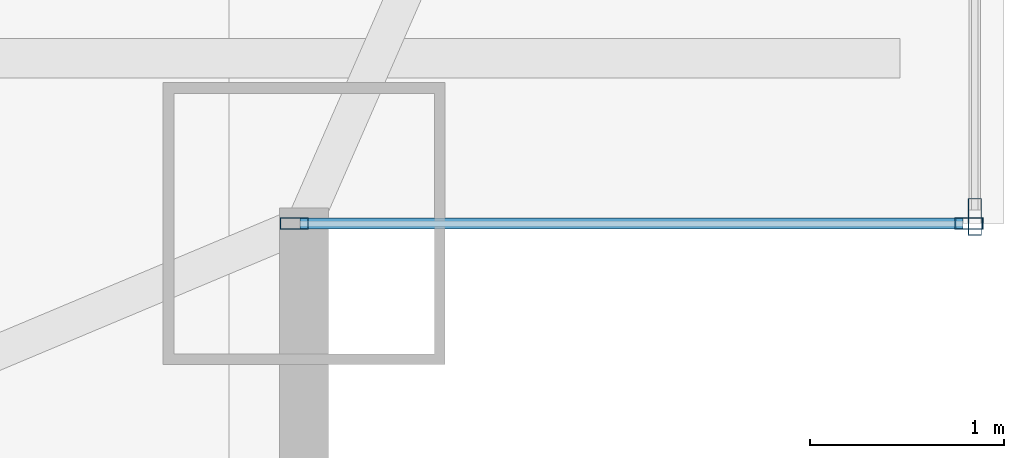
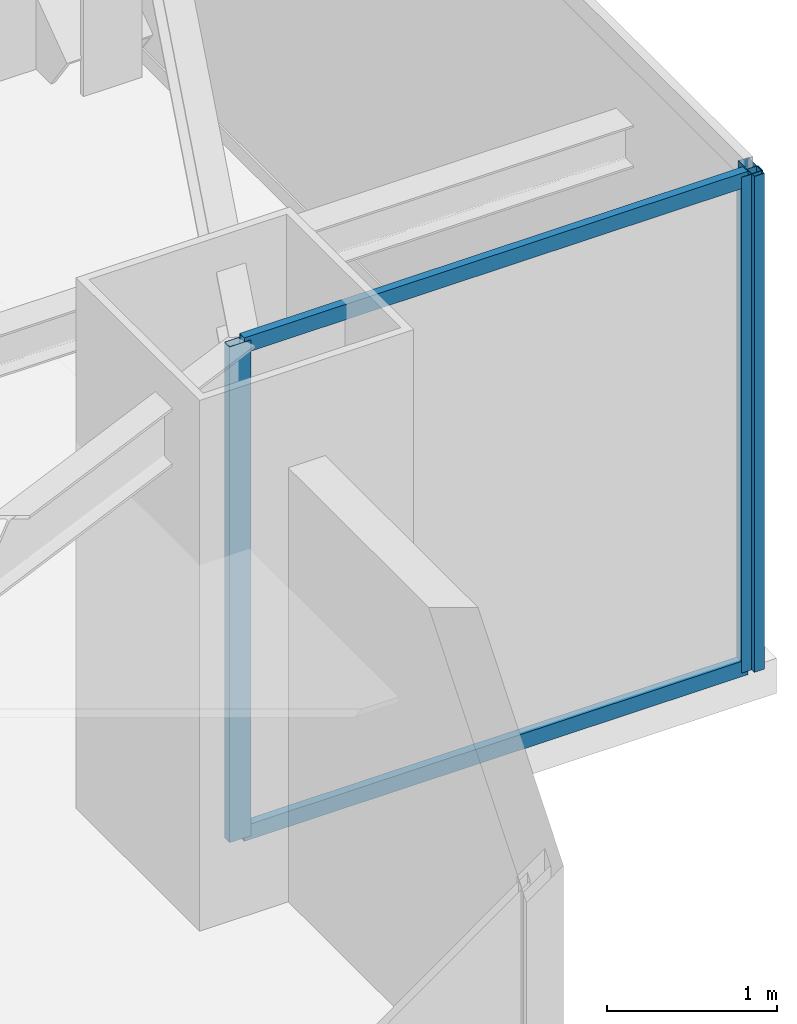
# One storey, part 17 of 37: 5 members, 2 elements without a shape of their own.
"""IFC4 building model written with IfcOpenShell, lengths in metres."""

from ifc_helpers import new_model, si_unit, direction, frame, origin, origin_2d, place, context, subcontext, project, spatial, hollow_rectangle, extrude, source, transform, mapped, material, layer, layer_set, material_profile, profile_set, type_object, type_shapes, element, aggregate, save


model = new_model("IFC4")

# Units and contexts
model_context = context("Model", 3, precision=1e-05, world=origin(), true_north=direction((0.0, 1.0)))
body_context = subcontext(model_context, "Body", "Model", "MODEL_VIEW")
ifc_project = project(units=[si_unit("LENGTHUNIT", "METRE"), si_unit("AREAUNIT", "SQUARE_METRE"), si_unit("VOLUMEUNIT", "CUBIC_METRE"), si_unit("PLANEANGLEUNIT", "RADIAN"), si_unit("MASSUNIT", "GRAM", prefix="KILO")], contexts=[model_context])

# Site, building, storey
site_placement = place(None, origin())
site = spatial("IfcSite", under=ifc_project, at=site_placement, CompositionType="ELEMENT")
building_placement = place(site_placement, origin())
building = spatial("IfcBuilding", under=site, at=building_placement, Name="Varnel Quay Broadcast Tower", CompositionType="ELEMENT")
storey_placement = place(building_placement, frame((0.0, 0.0, 103.0)))
storey = spatial("IfcBuildingStorey", under=building, at=storey_placement, Name="L24", CompositionType="ELEMENT", Elevation=103.0)

# Curtain wall, members
ifc_material = material(Name="Anodised Bronze Aluminium 6063-T6", Category="aluminium")
ifc_layer_1 = layer(ifc_material, 0.18994140625, Name="Anodised Bronze Aluminium 6063-T6")
ifc_layer_set_1 = layer_set([ifc_layer_1], Name="Anodised Bronze Aluminium 6063-T6")
curtain_wall_type_1 = type_object("IfcCurtainWallType", Name="CW_NotchCorner", PredefinedType="NOTDEFINED", material=ifc_layer_set_1)
curtain_wall_1_placement = place(storey_placement, origin())
curtain_wall_1 = element("IfcCurtainWall", 1, at=curtain_wall_1_placement, inside=storey, type_object=curtain_wall_type_1, Name="L24 SE Notch Curtain Wall", PredefinedType="NOTDEFINED")
ifc_material_profile_1 = material_profile(ifc_material, hollow_rectangle(XDim=0.054931640625, YDim=0.110107421875, WallThickness=0.0029296875, at=origin_2d()), Name="ALU55X110X3")
ifc_profile_set_1 = profile_set([ifc_material_profile_1], Name="Anodised Bronze Aluminium 6063-T6")
member_type_1 = type_object("IfcMemberType", Name="Tran_CWS-04", PredefinedType="USERDEFINED", material=ifc_profile_set_1)
shared_shape_1 = source(origin(), body_context, "Body", "SweptSolid", [
    extrude(hollow_rectangle(XDim=0.054931640625, YDim=0.110107421875, WallThickness=0.0029296875, at=origin_2d()), origin(), (0.0, 0.0, 1.0), 3.41015625),
])
type_shapes(member_type_1, [shared_shape_1])
member_1_placement = place(storey_placement, frame((59.8798828125, 7.800048828125, 0.027587890625), z_axis=(1.0, 0.0, 0.0), x_axis=(0.0, 1.0, 0.0)))
member_1 = element("IfcMember", 2, at=member_1_placement, type_object=member_type_1, Name="CWS-04 transom 1.1", ObjectType="TRANSOM", PredefinedType="USERDEFINED", context=body_context, shape_type="MappedRepresentation", body=[
    mapped(shared_shape_1, transform((0.0, 0.0, 0.0), x_axis=(1.0, 0.0, 0.0), y_axis=(0.0, 1.0, 0.0), z_axis=(0.0, 0.0, 1.0), scale=1.0)),
])
member_2_placement = place(storey_placement, frame((59.8798828125, 7.800048828125, 3.5224609375), z_axis=(1.0, 0.0, 0.0), x_axis=(0.0, 1.0, 0.0)))
member_2 = element("IfcMember", 3, at=member_2_placement, type_object=member_type_1, Name="CWS-04 transom 1.2", ObjectType="TRANSOM", PredefinedType="USERDEFINED", context=body_context, shape_type="MappedRepresentation", body=[
    mapped(shared_shape_1, transform((0.0, 0.0, 0.0), x_axis=(1.0, 0.0, 0.0), y_axis=(0.0, 1.0, 0.0), z_axis=(0.0, 0.0, 1.0), scale=1.0)),
])

# Curtain wall, member
ifc_layer_2 = layer(ifc_material, 0.18994140625, Name="Anodised Bronze Aluminium 6063-T6")
ifc_layer_set_2 = layer_set([ifc_layer_2], Name="Anodised Bronze Aluminium 6063-T6")
curtain_wall_type_2 = type_object("IfcCurtainWallType", Name="CW_LowerTower", PredefinedType="NOTDEFINED", material=ifc_layer_set_2)
curtain_wall_2_placement = place(storey_placement, origin())
curtain_wall_2 = element("IfcCurtainWall", 4, at=curtain_wall_2_placement, inside=storey, type_object=curtain_wall_type_2, Name="L24 East Unitised Curtain Wall", PredefinedType="NOTDEFINED")
ifc_material_profile_2 = material_profile(ifc_material, hollow_rectangle(XDim=0.070068359375, YDim=0.18994140625, WallThickness=0.00390625, at=origin_2d()), Name="ALU70X190X4")
ifc_profile_set_2 = profile_set([ifc_material_profile_2], Name="Anodised Bronze Aluminium 6063-T6")
member_type_2 = type_object("IfcMemberType", Name="Mull_CWS-02", PredefinedType="MULLION", material=ifc_profile_set_2)
shared_shape_2 = source(origin(), body_context, "Body", "SweptSolid", [
    extrude(hollow_rectangle(XDim=0.070068359375, YDim=0.18994140625, WallThickness=0.00390625, at=origin_2d()), origin(), (0.0, 0.0, 1.0), 3.550048828125),
])
type_shapes(member_type_2, [shared_shape_2])
member_3_placement = place(storey_placement, frame((63.35009765625, 7.8349609375, 0.0), z_axis=(0.0, 0.0, 1.0), x_axis=(-1.0, 0.0, 0.0)))
member_3 = element("IfcMember", 5, at=member_3_placement, type_object=member_type_2, Name="CWS-02 mullion 1", PredefinedType="MULLION", context=body_context, shape_type="MappedRepresentation", body=[
    mapped(shared_shape_2, transform((0.0, 0.0, 0.0), x_axis=(1.0, 0.0, 0.0), y_axis=(0.0, 1.0, 0.0), z_axis=(0.0, 0.0, 1.0), scale=1.0)),
])
aggregate(curtain_wall_2, [member_3])

# Member
ifc_material_profile_3 = material_profile(ifc_material, hollow_rectangle(XDim=0.06005859375, YDim=0.14501953125, WallThickness=0.00341796875, at=origin_2d()), Name="ALU60X145X3.5")
ifc_profile_set_3 = profile_set([ifc_material_profile_3], Name="Anodised Bronze Aluminium 6063-T6")
member_type_3 = type_object("IfcMemberType", Name="Mull_CWS-04", PredefinedType="MULLION", material=ifc_profile_set_3)
shared_shape_3 = source(origin(), body_context, "Body", "SweptSolid", [
    extrude(hollow_rectangle(XDim=0.06005859375, YDim=0.14501953125, WallThickness=0.00341796875, at=origin_2d()), origin(), (0.0, 0.0, 1.0), 3.550048828125),
])
type_shapes(member_type_3, [shared_shape_3])
member_4_placement = place(storey_placement, frame((59.85009765625, 7.800048828125, 0.0), z_axis=(0.0, 0.0, 1.0), x_axis=(0.0, 1.0, 0.0)))
member_4 = element("IfcMember", 6, at=member_4_placement, type_object=member_type_3, Name="CWS-04 mullion 1", PredefinedType="MULLION", context=body_context, shape_type="MappedRepresentation", body=[
    mapped(shared_shape_3, transform((0.0, 0.0, 0.0), x_axis=(1.0, 0.0, 0.0), y_axis=(0.0, 1.0, 0.0), z_axis=(0.0, 0.0, 1.0), scale=1.0)),
])

member_5_placement = place(storey_placement, frame((63.320068359375, 7.800048828125, 0.0), z_axis=(0.0, 0.0, 1.0), x_axis=(0.0, 1.0, 0.0)))
member_5 = element("IfcMember", 7, at=member_5_placement, type_object=member_type_3, Name="CWS-04 mullion 2", PredefinedType="MULLION", context=body_context, shape_type="MappedRepresentation", body=[
    mapped(shared_shape_3, transform((0.0, 0.0, 0.0), x_axis=(1.0, 0.0, 0.0), y_axis=(0.0, 1.0, 0.0), z_axis=(0.0, 0.0, 1.0), scale=1.0)),
])

aggregate(curtain_wall_1, [member_4, member_5, member_1, member_2])

save(model, "model.ifc")
